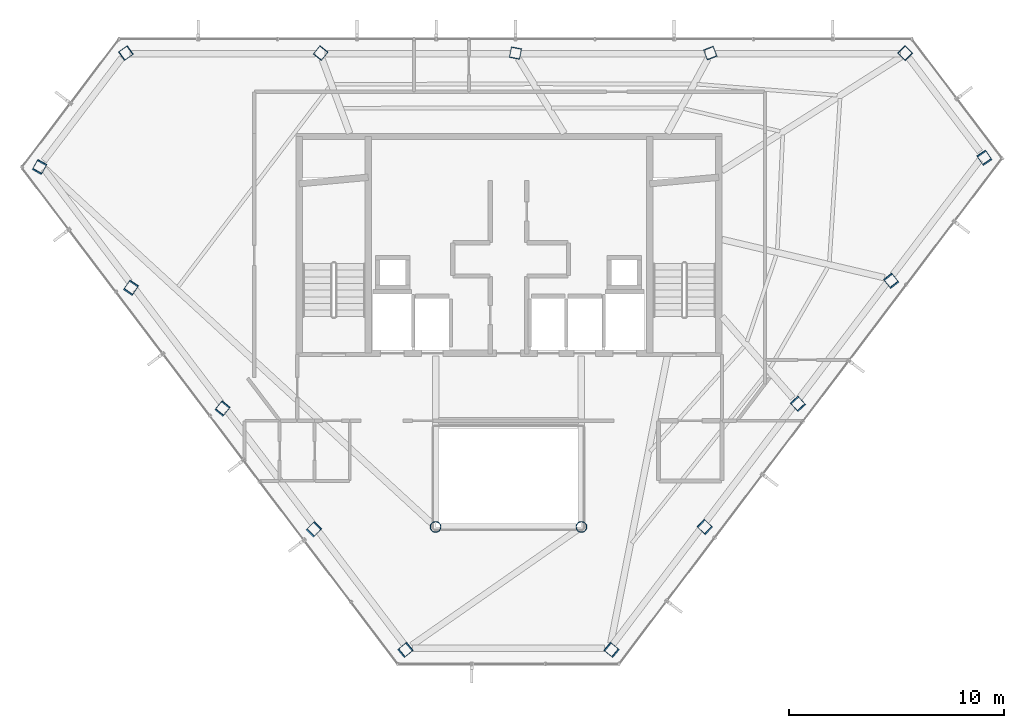
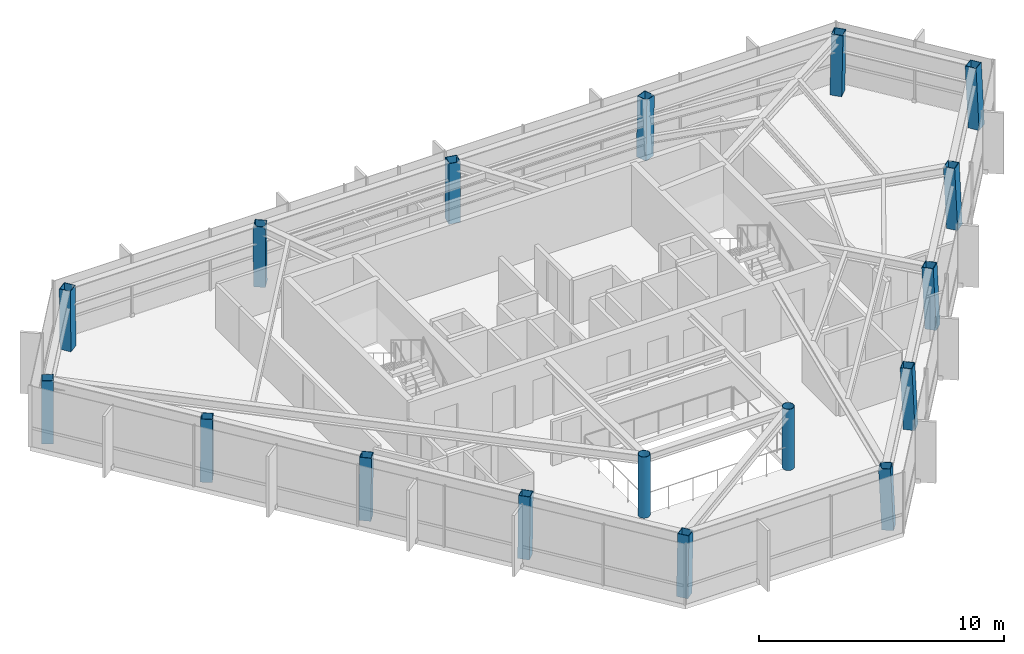
# One storey, part 1 of 24: 17 columns.
"""IFC4 building model written with IfcOpenShell, lengths in metres."""

from ifc_helpers import new_model, si_unit, direction, frame, origin, origin_2d, place, context, subcontext, project, spatial, hollow_rectangle, hollow_circle, extrude, material, material_profile, profile_set, type_object, element, save


model = new_model("IFC4")

# Units and contexts
model_context = context("Model", 3, precision=1e-05, world=origin(), true_north=direction((0.0, 1.0)))
body_context = subcontext(model_context, "Body", "Model", "MODEL_VIEW")
ifc_project = project(units=[si_unit("LENGTHUNIT", "METRE"), si_unit("AREAUNIT", "SQUARE_METRE"), si_unit("VOLUMEUNIT", "CUBIC_METRE"), si_unit("PLANEANGLEUNIT", "RADIAN"), si_unit("MASSUNIT", "GRAM", prefix="KILO")], contexts=[model_context])

# Site, building, storey
site_placement = place(None, origin())
site = spatial("IfcSite", under=ifc_project, at=site_placement, CompositionType="ELEMENT")
building_placement = place(site_placement, origin())
building = spatial("IfcBuilding", under=site, at=building_placement, Name="Zarrinselat Tower", CompositionType="ELEMENT")
storey_placement = place(building_placement, frame((0.0, 0.0, 249.56005859375)))
storey = spatial("IfcBuildingStorey", under=building, at=storey_placement, Name="L63", CompositionType="ELEMENT", Elevation=249.56005859375)

# Columns
ifc_material_1 = material(Name="Steel S355J2", Category="steel")
ifc_material_profile_1 = material_profile(ifc_material_1, hollow_circle(Radius=0.25390625, WallThickness=0.02001953125, at=origin_2d()), Name="CHS 508x20")
ifc_profile_set_1 = profile_set([ifc_material_profile_1], Name="Steel S355J2")
column_type_1 = type_object("IfcColumnType", Name="COL-CHS508", PredefinedType="COLUMN", material=ifc_profile_set_1)
for number, where, z_axis, x_axis, name in (
    (1, (35.0, 25.199951171875, 0.0), (0.0, 0.0, 1.0), (1.0, 0.0, 0.0), "L63 Atrium Corner Column 1"),
    (2, (41.800048828125, 25.199951171875, 0.0), (0.0, 0.0, 1.0), (1.0, 0.0, 0.0), "L63 Atrium Corner Column 2"),
):
    element("IfcColumn", number, at=place(storey_placement, frame(where, z_axis=z_axis, x_axis=x_axis)), inside=storey, type_object=column_type_1, Name=name, PredefinedType="COLUMN", context=body_context, shape_type="SweptSolid", body=[
        extrude(hollow_circle(Radius=0.25390625, WallThickness=0.02001953125, at=origin_2d()), origin(), (0.0, 0.0, 1.0), 3.050048828125),
    ])
ifc_material_2 = material(Name="Steel S355J2", Category="steel")
ifc_material_profile_2 = material_profile(ifc_material_2, hollow_rectangle(XDim=0.5, YDim=0.5, WallThickness=0.02490234375, at=origin_2d()), Name="SHS 500x500x25")
ifc_profile_set_2 = profile_set([ifc_material_profile_2], Name="Steel S355J2")
column_type_2 = type_object("IfcColumnType", Name="COL-SHS500", PredefinedType="COLUMN", material=ifc_profile_set_2)
column_1_placement = place(storey_placement, frame((56.876708984375, 47.29443359375, 0.0), z_axis=(0.01264504713, -0.012725079074, 0.999839074624), x_axis=(0.709333872546, 0.704872653221, 0.0)))
element("IfcColumn", 3, at=column_1_placement, inside=storey, type_object=column_type_2, Name="L63 Framed-Tube Column T01", PredefinedType="COLUMN", context=body_context, shape_type="SweptSolid", body=[
    extrude(hollow_rectangle(XDim=0.5, YDim=0.5, WallThickness=0.02490234375, at=origin_2d()), origin(), (0.0, 0.0, 1.0), 3.050537109375),
])
for number, where, z_axis, x_axis, name in (
    (4, (47.8017578125, 47.29443359375, 0.0), (0.00504235151, -0.012725934764, 0.999906308249), (0.929681500465, 0.368364368109, 0.0), "L63 Framed-Tube Column T02"),
    (5, (38.726806640625, 47.29443359375, 0.0), (-0.002561218578, -0.012726054807, 0.999915740294), (0.980342817353, -0.19730169909, 0.0), "L63 Framed-Tube Column T03"),
):
    element("IfcColumn", number, at=place(storey_placement, frame(where, z_axis=z_axis, x_axis=x_axis)), inside=storey, type_object=column_type_2, Name=name, PredefinedType="COLUMN", context=body_context, shape_type="SweptSolid", body=[
        extrude(hollow_rectangle(XDim=0.5, YDim=0.5, WallThickness=0.02490234375, at=origin_2d()), origin(), (0.0, 0.0, 1.0), 3.05029296875),
    ])
column_2_placement = place(storey_placement, frame((29.651611328125, 47.29443359375, 0.0), z_axis=(-0.01016434447, -0.01272543914, 0.999867365854), x_axis=(0.781348007617, -0.624095578411, 0.0)))
element("IfcColumn", 6, at=column_2_placement, inside=storey, type_object=column_type_2, Name="L63 Framed-Tube Column T04", PredefinedType="COLUMN", context=body_context, shape_type="SweptSolid", body=[
    extrude(hollow_rectangle(XDim=0.5, YDim=0.5, WallThickness=0.02490234375, at=origin_2d()), origin(), (0.0, 0.0, 1.0), 3.050537109375),
])
column_3_placement = place(storey_placement, frame((20.57666015625, 47.29443359375, 0.0), z_axis=(-0.017765707888, -0.012724088082, 0.999761210093), x_axis=(0.582276969769, -0.812990486092, 0.0)))
element("IfcColumn", 7, at=column_3_placement, inside=storey, type_object=column_type_2, Name="L63 Framed-Tube Column T05", PredefinedType="COLUMN", context=body_context, shape_type="SweptSolid", body=[
    extrude(hollow_rectangle(XDim=0.5, YDim=0.5, WallThickness=0.02490234375, at=origin_2d()), origin(), (0.0, 0.0, 1.0), 3.05078125),
])
column_4_placement = place(storey_placement, frame((16.53125, 41.954345703125, 0.0), z_axis=(0.022947476885, 0.041017615478, 0.99889487361), x_axis=(-0.872709005567, 0.488240710717, 0.0)))
element("IfcColumn", 8, at=column_4_placement, inside=storey, type_object=column_type_2, Name="L63 Framed-Tube Column T06", PredefinedType="COLUMN", context=body_context, shape_type="SweptSolid", body=[
    extrude(hollow_rectangle(XDim=0.5, YDim=0.5, WallThickness=0.02490234375, at=origin_2d()), origin(), (0.0, 0.0, 1.0), 3.053466796875),
])
column_5_placement = place(storey_placement, frame((20.79296875, 36.328857421875, 0.0), z_axis=(0.02550786922, 0.037662089036, 0.998964922136), x_axis=(-0.827971348636, 0.560770403853, 0.0)))
element("IfcColumn", 9, at=column_5_placement, inside=storey, type_object=column_type_2, Name="L63 Framed-Tube Column T07", PredefinedType="COLUMN", context=body_context, shape_type="SweptSolid", body=[
    extrude(hollow_rectangle(XDim=0.5, YDim=0.5, WallThickness=0.02490234375, at=origin_2d()), origin(), (0.0, 0.0, 1.0), 3.05322265625),
])
for number, where, z_axis, x_axis, name in (
    (10, (25.0546875, 30.70361328125, 0.0), (0.028068274042, 0.034145735089, 0.99902264277), (-0.772504370212, 0.635009447177, 0.0), "L63 Framed-Tube Column T08"),
    (11, (29.31640625, 25.077880859375, 0.0), (0.030628169129, 0.030868076459, 0.999054091184), (-0.709859923492, 0.704342877454, 0.0), "L63 Framed-Tube Column T09"),
    (12, (33.577880859375, 19.452392578125, 0.0), (0.033347561065, 0.027429768454, 0.999067339059), (-0.635252722501, 0.772304330271, 0.0), "L63 Framed-Tube Column T10"),
    (13, (43.221923828125, 19.452392578125, 0.0), (-0.033267679507, 0.027429841517, 0.999070000197), (-0.636162213198, -0.771555337289, 0.0), "L63 Framed-Tube Column T11"),
    (14, (47.5654296875, 25.185791015625, 0.0), (-0.031348031049, 0.02998855011, 0.999058550742), (-0.691264498269, -0.72260182219, 0.0), "L63 Framed-Tube Column T12"),
    (15, (51.90869140625, 30.9189453125, 0.0), (-0.029348226726, 0.032546943535, 0.999039227485), (-0.742658689726, -0.669670120712, 0.0), "L63 Framed-Tube Column T13"),
    (16, (56.251953125, 36.65234375, 0.0), (-0.027428116852, 0.035104790956, 0.999007183186), (-0.787997159763, -0.615678874257, 0.0), "L63 Framed-Tube Column T14"),
):
    element("IfcColumn", number, at=place(storey_placement, frame(where, z_axis=z_axis, x_axis=x_axis)), inside=storey, type_object=column_type_2, Name=name, PredefinedType="COLUMN", context=body_context, shape_type="SweptSolid", body=[
        extrude(hollow_rectangle(XDim=0.5, YDim=0.5, WallThickness=0.02490234375, at=origin_2d()), origin(), (0.0, 0.0, 1.0), 3.052978515625),
    ])
column_6_placement = place(storey_placement, frame((60.595458984375, 42.385498046875, 0.0), z_axis=(-0.02550786922, 0.037662089036, 0.998964922136), x_axis=(-0.827971348636, -0.560770403853, 0.0)))
element("IfcColumn", 17, at=column_6_placement, inside=storey, type_object=column_type_2, Name="L63 Framed-Tube Column T15", PredefinedType="COLUMN", context=body_context, shape_type="SweptSolid", body=[
    extrude(hollow_rectangle(XDim=0.5, YDim=0.5, WallThickness=0.02490234375, at=origin_2d()), origin(), (0.0, 0.0, 1.0), 3.05322265625),
])

save(model, "model.ifc")
